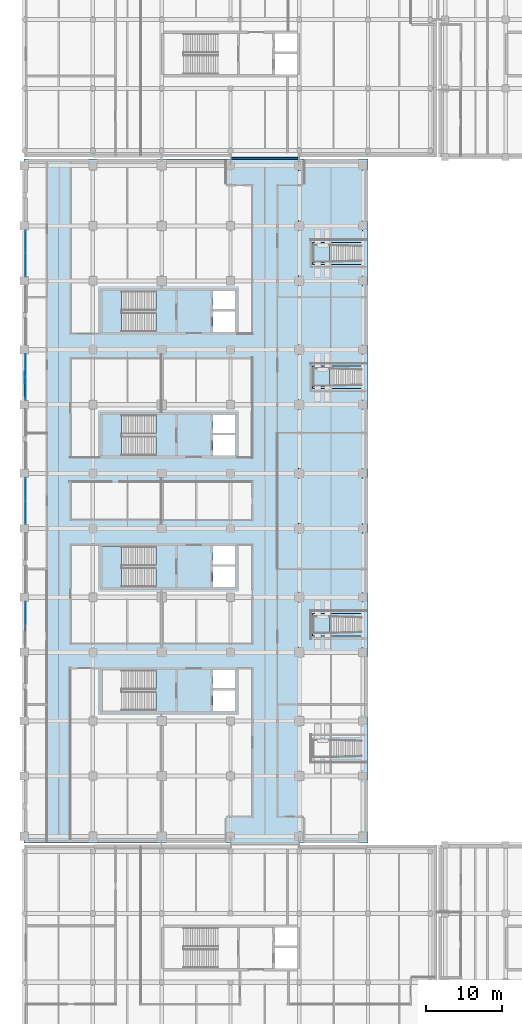
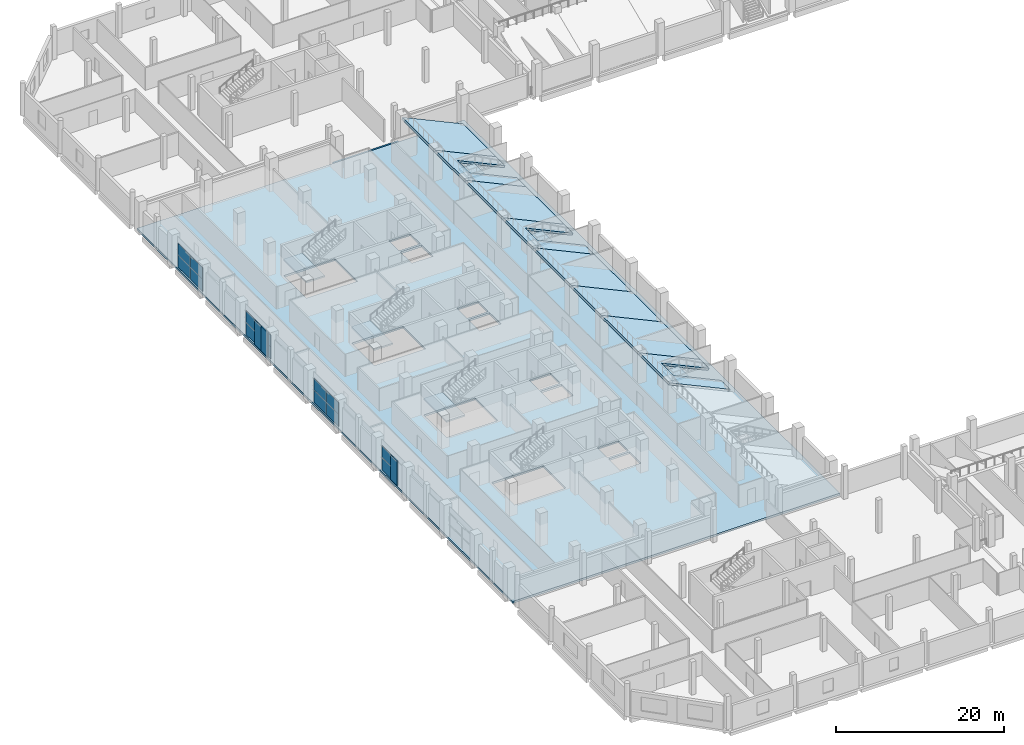
# One storey, part 45 of 100: 17 plates, 16 slabs, 7 elements without a shape of their own.
"""IFC4 building model written with IfcOpenShell, lengths in metres."""

from ifc_helpers import new_model, si_unit, direction, frame, origin, origin_2d, place, context, subcontext, project, spatial, polyline, rectangle, outline, extrude, material, layer, layer_set, type_object, element, aggregate, save


model = new_model("IFC4")

# Units and contexts
model_context = context("Model", 3, precision=1e-05, world=origin(), true_north=direction((0.0, 1.0)))
body_context = subcontext(model_context, "Body", "Model", "MODEL_VIEW")
ifc_project = project(units=[si_unit("LENGTHUNIT", "METRE"), si_unit("AREAUNIT", "SQUARE_METRE"), si_unit("VOLUMEUNIT", "CUBIC_METRE"), si_unit("PLANEANGLEUNIT", "RADIAN"), si_unit("MASSUNIT", "GRAM", prefix="KILO"), si_unit("THERMODYNAMICTEMPERATUREUNIT", "KELVIN"), si_unit("POWERUNIT", "WATT")], contexts=[model_context])

# Site, building, storey
site_placement = place(None, origin())
site = spatial("IfcSite", under=ifc_project, at=site_placement, CompositionType="ELEMENT")
building_placement = place(site_placement, origin())
building = spatial("IfcBuilding", under=site, at=building_placement, Name="Sindhuravela Promenade Stadium", CompositionType="ELEMENT")
storey_placement = place(building_placement, frame((0.0, 0.0, 4.800048828125)))
storey = spatial("IfcBuildingStorey", under=building, at=storey_placement, Name="L01", CompositionType="ELEMENT", Elevation=4.800048828125)

# Plates
ifc_material_1 = material(Name="Perforated terracotta celosia brick (15 MPa)", Category="masonry")
ifc_layer_1 = layer(ifc_material_1, 0.090087890625)
ifc_layer_set_1 = layer_set([ifc_layer_1], Name="Perforated terracotta celosia brick (15 MPa)")
plate_type_1 = type_object("IfcPlateType", Name="CL-SCR-01", PredefinedType="USERDEFINED", material=ifc_layer_set_1)
plate_1_placement = place(storey_placement, frame((0.1201171875, 97.10498046875, 0.0), z_axis=(0.0, 0.0, 1.0), x_axis=(0.0, 1.0, 0.0)))
element("IfcPlate", 1, at=plate_1_placement, inside=storey, type_object=plate_type_1, Name="Perforated brick celosia screen WEST L01-4", ObjectType="SCREEN PANEL", PredefinedType="USERDEFINED", context=body_context, shape_type="SweptSolid", body=[
    extrude(rectangle(XDim=1.56005859375, YDim=0.090087890625, at=origin_2d()), origin(), (0.0, 0.0, 1.0), 3.580078125),
])
ifc_layer_2 = layer(ifc_material_1, 0.139892578125)
ifc_layer_set_2 = layer_set([ifc_layer_2], Name="Perforated terracotta celosia brick (15 MPa)")
plate_type_2 = type_object("IfcPlateType", Name="CL-SCR-03", PredefinedType="USERDEFINED", material=ifc_layer_set_2)
plate_2_placement = place(storey_placement, frame((0.1201171875, 64.705078125, 0.0), z_axis=(0.0, 0.0, 1.0), x_axis=(0.0, 1.0, 0.0)))
element("IfcPlate", 2, at=plate_2_placement, inside=storey, type_object=plate_type_2, Name="Perforated brick celosia screen WEST L01-2", ObjectType="SCREEN PANEL", PredefinedType="USERDEFINED", context=body_context, shape_type="SweptSolid", body=[
    extrude(rectangle(XDim=1.56005859375, YDim=0.139892578125, at=origin_2d()), origin(), (0.0, 0.0, 1.0), 3.580078125),
])
ifc_layer_3 = layer(ifc_material_1, 0.1650390625)
ifc_layer_set_3 = layer_set([ifc_layer_3], Name="Perforated terracotta celosia brick (15 MPa)")
plate_type_3 = type_object("IfcPlateType", Name="CL-SCR-04", PredefinedType="USERDEFINED", material=ifc_layer_set_3)
plate_3_placement = place(storey_placement, frame((0.1201171875, 95.5048828125, 0.0), z_axis=(0.0, 0.0, 1.0), x_axis=(0.0, 1.0, 0.0)))
element("IfcPlate", 3, at=plate_3_placement, inside=storey, type_object=plate_type_3, Name="Perforated brick celosia screen WEST L01-3", ObjectType="SCREEN PANEL", PredefinedType="USERDEFINED", context=body_context, shape_type="SweptSolid", body=[
    extrude(rectangle(XDim=1.56005859375, YDim=0.1650390625, at=origin_2d()), origin(), (0.0, 0.0, 1.0), 3.580078125),
])

# Curtain wall, plates
ifc_material_2 = material(Name="Anodised architectural aluminium 6063-T6", Category="aluminium")
curtain_wall_type_1 = type_object("IfcCurtainWallType", Name="CW-MOD-3", PredefinedType="NOTDEFINED", material=ifc_material_2)
curtain_wall_1_placement = place(storey_placement, origin())
curtain_wall_1 = element("IfcCurtainWall", 4, at=curtain_wall_1_placement, inside=storey, type_object=curtain_wall_type_1, Name="Bronze curtain wall CW-WEST-L01-002", PredefinedType="NOTDEFINED")
ifc_material_3 = material(Name="Tempered laminated low-E glass", Category="glass")
ifc_layer_4 = layer(ifc_material_3, 0.028076171875)
ifc_layer_set_4 = layer_set([ifc_layer_4], Name="Tempered laminated low-E glass")
plate_type_4 = type_object("IfcPlateType", Name="CW-PNL-01", PredefinedType="CURTAIN_PANEL", material=ifc_layer_set_4)
plate_4_placement = place(storey_placement, frame((0.199951171875, 66.300048828125, 0.01513671875), z_axis=(0.0, 0.0, 1.0), x_axis=(0.0, 1.0, 0.0)))
plate_4 = element("IfcPlate", 5, at=plate_4_placement, type_object=plate_type_4, Name="Glazed curtain panel CW-WEST-L01-002-P2.1", PredefinedType="CURTAIN_PANEL", context=body_context, shape_type="SweptSolid", body=[
    extrude(rectangle(XDim=2.93994140625, YDim=0.028076171875, at=origin_2d()), origin(), (0.0, 0.0, 1.0), 1.760009765625),
])
plate_5_placement = place(storey_placement, frame((0.199951171875, 66.300048828125, 1.80517578125), z_axis=(0.0, 0.0, 1.0), x_axis=(0.0, 1.0, 0.0)))
plate_5 = element("IfcPlate", 6, at=plate_5_placement, type_object=plate_type_4, Name="Glazed curtain panel CW-WEST-L01-002-P2.2", PredefinedType="CURTAIN_PANEL", context=body_context, shape_type="SweptSolid", body=[
    extrude(rectangle(XDim=2.93994140625, YDim=0.028076171875, at=origin_2d()), origin(), (0.0, 0.0, 1.0), 1.679931640625),
])
aggregate(curtain_wall_1, [plate_4, plate_5])

curtain_wall_type_2 = type_object("IfcCurtainWallType", Name="CW-MOD-5", PredefinedType="NOTDEFINED", material=ifc_material_2)
curtain_wall_2_placement = place(storey_placement, origin())
curtain_wall_2 = element("IfcCurtainWall", 7, at=curtain_wall_2_placement, inside=storey, type_object=curtain_wall_type_2, Name="Bronze curtain wall CW-WEST-L01-004", PredefinedType="NOTDEFINED")
plate_6_placement = place(storey_placement, frame((0.199951171875, 95.699951171875, 0.01513671875), z_axis=(0.0, 0.0, 1.0), x_axis=(0.0, 1.0, 0.0)))
plate_6 = element("IfcPlate", 8, at=plate_6_placement, type_object=plate_type_4, Name="Glazed curtain panel CW-WEST-L01-004-P1.1", PredefinedType="CURTAIN_PANEL", context=body_context, shape_type="SweptSolid", body=[
    extrude(rectangle(XDim=2.93994140625, YDim=0.028076171875, at=origin_2d()), origin(), (0.0, 0.0, 1.0), 1.760009765625),
])
plate_7_placement = place(storey_placement, frame((0.199951171875, 95.699951171875, 1.80517578125), z_axis=(0.0, 0.0, 1.0), x_axis=(0.0, 1.0, 0.0)))
plate_7 = element("IfcPlate", 9, at=plate_7_placement, type_object=plate_type_4, Name="Glazed curtain panel CW-WEST-L01-004-P1.2", PredefinedType="CURTAIN_PANEL", context=body_context, shape_type="SweptSolid", body=[
    extrude(rectangle(XDim=2.93994140625, YDim=0.028076171875, at=origin_2d()), origin(), (0.0, 0.0, 1.0), 1.679931640625),
])
plate_8_placement = place(storey_placement, frame((0.199951171875, 98.699951171875, 0.01513671875), z_axis=(0.0, 0.0, 1.0), x_axis=(0.0, 1.0, 0.0)))
plate_8 = element("IfcPlate", 10, at=plate_8_placement, type_object=plate_type_4, Name="Glazed curtain panel CW-WEST-L01-004-P2.1", PredefinedType="CURTAIN_PANEL", context=body_context, shape_type="SweptSolid", body=[
    extrude(rectangle(XDim=2.93994140625, YDim=0.028076171875, at=origin_2d()), origin(), (0.0, 0.0, 1.0), 1.760009765625),
])
plate_9_placement = place(storey_placement, frame((0.199951171875, 98.699951171875, 1.80517578125), z_axis=(0.0, 0.0, 1.0), x_axis=(0.0, 1.0, 0.0)))
plate_9 = element("IfcPlate", 11, at=plate_9_placement, type_object=plate_type_4, Name="Glazed curtain panel CW-WEST-L01-004-P2.2", PredefinedType="CURTAIN_PANEL", context=body_context, shape_type="SweptSolid", body=[
    extrude(rectangle(XDim=2.93994140625, YDim=0.028076171875, at=origin_2d()), origin(), (0.0, 0.0, 1.0), 1.679931640625),
])
aggregate(curtain_wall_2, [plate_6, plate_7, plate_8, plate_9])

curtain_wall_type_3 = type_object("IfcCurtainWallType", Name="CW-MOD-4", PredefinedType="NOTDEFINED", material=ifc_material_2)
curtain_wall_3_placement = place(storey_placement, origin())
curtain_wall_3 = element("IfcCurtainWall", 12, at=curtain_wall_3_placement, inside=storey, type_object=curtain_wall_type_3, Name="Bronze curtain wall CW-WEST-L01-003", PredefinedType="NOTDEFINED")
ifc_layer_5 = layer(ifc_material_3, 0.0400390625)
ifc_layer_set_5 = layer_set([ifc_layer_5], Name="Tempered laminated low-E glass")
plate_type_5 = type_object("IfcPlateType", Name="CW-PNL-02", PredefinedType="CURTAIN_PANEL", material=ifc_layer_set_5)
plate_10_placement = place(storey_placement, frame((0.199951171875, 79.5, 0.01513671875), z_axis=(0.0, 0.0, 1.0), x_axis=(0.0, 1.0, 0.0)))
plate_10 = element("IfcPlate", 13, at=plate_10_placement, type_object=plate_type_5, Name="Glazed curtain panel CW-WEST-L01-003-P1.1", PredefinedType="CURTAIN_PANEL", context=body_context, shape_type="SweptSolid", body=[
    extrude(rectangle(XDim=2.93994140625, YDim=0.0400390625, at=origin_2d()), origin(), (0.0, 0.0, 1.0), 1.760009765625),
])
plate_11_placement = place(storey_placement, frame((0.199951171875, 79.5, 1.80517578125), z_axis=(0.0, 0.0, 1.0), x_axis=(0.0, 1.0, 0.0)))
plate_11 = element("IfcPlate", 14, at=plate_11_placement, type_object=plate_type_5, Name="Glazed curtain panel CW-WEST-L01-003-P1.2", PredefinedType="CURTAIN_PANEL", context=body_context, shape_type="SweptSolid", body=[
    extrude(rectangle(XDim=2.93994140625, YDim=0.0400390625, at=origin_2d()), origin(), (0.0, 0.0, 1.0), 1.679931640625),
])
plate_12_placement = place(storey_placement, frame((0.199951171875, 82.5, 0.01513671875), z_axis=(0.0, 0.0, 1.0), x_axis=(0.0, 1.0, 0.0)))
plate_12 = element("IfcPlate", 15, at=plate_12_placement, type_object=plate_type_5, Name="Glazed curtain panel CW-WEST-L01-003-P2.1", PredefinedType="CURTAIN_PANEL", context=body_context, shape_type="SweptSolid", body=[
    extrude(rectangle(XDim=2.93994140625, YDim=0.0400390625, at=origin_2d()), origin(), (0.0, 0.0, 1.0), 1.760009765625),
])
plate_13_placement = place(storey_placement, frame((0.199951171875, 82.5, 1.80517578125), z_axis=(0.0, 0.0, 1.0), x_axis=(0.0, 1.0, 0.0)))
plate_13 = element("IfcPlate", 16, at=plate_13_placement, type_object=plate_type_5, Name="Glazed curtain panel CW-WEST-L01-003-P2.2", PredefinedType="CURTAIN_PANEL", context=body_context, shape_type="SweptSolid", body=[
    extrude(rectangle(XDim=2.93994140625, YDim=0.0400390625, at=origin_2d()), origin(), (0.0, 0.0, 1.0), 1.679931640625),
])
aggregate(curtain_wall_3, [plate_10, plate_11, plate_12, plate_13])

curtain_wall_type_4 = type_object("IfcCurtainWallType", Name="CW-MOD-6", PredefinedType="NOTDEFINED", material=ifc_material_2)
curtain_wall_4_placement = place(storey_placement, origin())
curtain_wall_4 = element("IfcCurtainWall", 17, at=curtain_wall_4_placement, inside=storey, type_object=curtain_wall_type_4, Name="Bronze curtain wall CW-WEST-L01-005", PredefinedType="NOTDEFINED")
plate_14_placement = place(storey_placement, frame((0.199951171875, 111.89990234375, 0.01513671875), z_axis=(0.0, 0.0, 1.0), x_axis=(0.0, 1.0, 0.0)))
plate_14 = element("IfcPlate", 18, at=plate_14_placement, type_object=plate_type_5, Name="Glazed curtain panel CW-WEST-L01-005-P1.1", PredefinedType="CURTAIN_PANEL", context=body_context, shape_type="SweptSolid", body=[
    extrude(rectangle(XDim=2.93994140625, YDim=0.0400390625, at=origin_2d()), origin(), (0.0, 0.0, 1.0), 1.760009765625),
])
plate_15_placement = place(storey_placement, frame((0.199951171875, 111.89990234375, 1.80517578125), z_axis=(0.0, 0.0, 1.0), x_axis=(0.0, 1.0, 0.0)))
plate_15 = element("IfcPlate", 19, at=plate_15_placement, type_object=plate_type_5, Name="Glazed curtain panel CW-WEST-L01-005-P1.2", PredefinedType="CURTAIN_PANEL", context=body_context, shape_type="SweptSolid", body=[
    extrude(rectangle(XDim=2.93994140625, YDim=0.0400390625, at=origin_2d()), origin(), (0.0, 0.0, 1.0), 1.679931640625),
])
plate_16_placement = place(storey_placement, frame((0.199951171875, 114.89990234375, 0.01513671875), z_axis=(0.0, 0.0, 1.0), x_axis=(0.0, 1.0, 0.0)))
plate_16 = element("IfcPlate", 20, at=plate_16_placement, type_object=plate_type_5, Name="Glazed curtain panel CW-WEST-L01-005-P2.1", PredefinedType="CURTAIN_PANEL", context=body_context, shape_type="SweptSolid", body=[
    extrude(rectangle(XDim=2.93994140625, YDim=0.0400390625, at=origin_2d()), origin(), (0.0, 0.0, 1.0), 1.760009765625),
])
plate_17_placement = place(storey_placement, frame((0.199951171875, 114.89990234375, 1.80517578125), z_axis=(0.0, 0.0, 1.0), x_axis=(0.0, 1.0, 0.0)))
plate_17 = element("IfcPlate", 21, at=plate_17_placement, type_object=plate_type_5, Name="Glazed curtain panel CW-WEST-L01-005-P2.2", PredefinedType="CURTAIN_PANEL", context=body_context, shape_type="SweptSolid", body=[
    extrude(rectangle(XDim=2.93994140625, YDim=0.0400390625, at=origin_2d()), origin(), (0.0, 0.0, 1.0), 1.679931640625),
])
aggregate(curtain_wall_4, [plate_14, plate_15, plate_16, plate_17])

# Slabs
ifc_material_4 = material(Name="Concrete M50", Category="concrete")
ifc_layer_6 = layer(ifc_material_4, 0.360107421875)
ifc_layer_set_6 = layer_set([ifc_layer_6], Name="Concrete M50")
slab_type_1 = type_object("IfcSlabType", Name="SL-BRG-360", PredefinedType="FLOOR", material=ifc_layer_set_6)
slab_1_placement = place(storey_placement, frame((0.0, 0.0, -0.360107421875)))
element("IfcSlab", 22, at=slab_1_placement, inside=storey, type_object=slab_type_1, Name="Concourse link bridge L01 West-NW", PredefinedType="FLOOR", context=body_context, shape_type="SweptSolid", body=[
    extrude(outline(polyline([(27.0, 125.75), (36.0, 125.75), (36.0, 126.0), (27.0, 126.0), (27.0, 125.75)])), origin(), (0.0, 0.0, 1.0), 0.360107421875),
])
ifc_material_5 = material(Name="Concrete M40", Category="concrete")
ifc_layer_7 = layer(ifc_material_5, 0.25)
ifc_layer_set_7 = layer_set([ifc_layer_7], Name="Concrete M40")
slab_type_2 = type_object("IfcSlabType", Name="SL-FLR-250", PredefinedType="FLOOR", material=ifc_layer_set_7)
slab_2_placement = place(storey_placement, frame((0.0, 0.0, 2.0)))
element("IfcSlab", 23, at=slab_2_placement, inside=storey, type_object=slab_type_2, Name="Vomitory VS02 tier landing slab", PredefinedType="FLOOR", context=body_context, shape_type="SweptSolid", body=[
    extrude(outline(polyline([(39.95068359375, 65.969970703125), (37.800048828125, 65.969970703125), (37.800048828125, 63.6298828125), (39.95068359375, 63.6298828125), (39.95068359375, 65.969970703125)])), origin(), (0.0, 0.0, 1.0), 0.25),
])
slab_3_placement = place(storey_placement, frame((0.0, 0.0, 2.0)))
element("IfcSlab", 24, at=slab_3_placement, inside=storey, type_object=slab_type_2, Name="Vomitory VS03 tier landing slab", PredefinedType="FLOOR", context=body_context, shape_type="SweptSolid", body=[
    extrude(outline(polyline([(39.95068359375, 98.409912109375), (37.800048828125, 98.409912109375), (37.800048828125, 95.989990234375), (39.95068359375, 95.989990234375), (39.95068359375, 98.409912109375)])), origin(), (0.0, 0.0, 1.0), 0.25),
])
slab_4_placement = place(storey_placement, frame((0.0, 0.0, 2.0)))
element("IfcSlab", 25, at=slab_4_placement, inside=storey, type_object=slab_type_2, Name="Vomitory VS04 tier landing slab", PredefinedType="FLOOR", context=body_context, shape_type="SweptSolid", body=[
    extrude(outline(polyline([(39.95068359375, 114.570068359375), (37.800048828125, 114.570068359375), (37.800048828125, 112.22998046875), (39.95068359375, 112.22998046875), (39.95068359375, 114.570068359375)])), origin(), (0.0, 0.0, 1.0), 0.25),
])
ifc_layer_8 = layer(ifc_material_5, 0.300048828125)
ifc_layer_set_8 = layer_set([ifc_layer_8], Name="Concrete M40")
slab_type_3 = type_object("IfcSlabType", Name="SL-FLR-300", PredefinedType="FLOOR", material=ifc_layer_set_8)
slab_5_placement = place(storey_placement, frame((0.0, 0.0, -0.300048828125)))
element("IfcSlab", 26, at=slab_5_placement, inside=storey, type_object=slab_type_3, Name="Floor slab WEST L01", PredefinedType="FLOOR", context=body_context, shape_type="SweptSolid", body=[
    extrude(outline(polyline([(0.0, 36.25), (45.0, 36.25), (45.0, 125.75), (0.0, 125.75), (0.0, 36.25)]), holes=[polyline([(10.199951171875, 53.5), (17.249267578125, 53.5), (17.249267578125, 58.89990234375), (10.199951171875, 58.89990234375), (10.199951171875, 53.5)]), polyline([(24.699951171875, 56.5), (27.60009765625, 56.5), (27.60009765625, 58.89990234375), (24.699951171875, 58.89990234375), (24.699951171875, 56.5)]), polyline([(24.699951171875, 53.5), (27.60009765625, 53.5), (27.60009765625, 56.199951171875), (24.699951171875, 56.199951171875), (24.699951171875, 53.5)]), polyline([(10.199951171875, 69.699951171875), (17.249267578125, 69.699951171875), (17.249267578125, 75.10009765625), (10.199951171875, 75.10009765625), (10.199951171875, 69.699951171875)]), polyline([(24.699951171875, 72.699951171875), (27.60009765625, 72.699951171875), (27.60009765625, 75.10009765625), (24.699951171875, 75.10009765625), (24.699951171875, 72.699951171875)]), polyline([(24.699951171875, 69.699951171875), (27.60009765625, 69.699951171875), (27.60009765625, 72.39990234375), (24.699951171875, 72.39990234375), (24.699951171875, 69.699951171875)]), polyline([(10.199951171875, 86.89990234375), (17.249267578125, 86.89990234375), (17.249267578125, 92.300048828125), (10.199951171875, 92.300048828125), (10.199951171875, 86.89990234375)]), polyline([(24.699951171875, 89.89990234375), (27.60009765625, 89.89990234375), (27.60009765625, 92.300048828125), (24.699951171875, 92.300048828125), (24.699951171875, 89.89990234375)]), polyline([(24.699951171875, 86.89990234375), (27.60009765625, 86.89990234375), (27.60009765625, 89.60009765625), (24.699951171875, 89.60009765625), (24.699951171875, 86.89990234375)]), polyline([(10.199951171875, 103.10009765625), (17.249267578125, 103.10009765625), (17.249267578125, 108.5), (10.199951171875, 108.5), (10.199951171875, 103.10009765625)]), polyline([(24.699951171875, 106.10009765625), (27.60009765625, 106.10009765625), (27.60009765625, 108.5), (24.699951171875, 108.5), (24.699951171875, 106.10009765625)]), polyline([(24.699951171875, 103.10009765625), (27.60009765625, 103.10009765625), (27.60009765625, 105.800048828125), (24.699951171875, 105.800048828125), (24.699951171875, 103.10009765625)])]), origin(), (0.0, 0.0, 1.0), 0.300048828125),
])

# Stair, slab
stair_type = type_object("IfcStairType", Name="ST-CORE-DOGLEG", PredefinedType="HALF_TURN_STAIR", material=ifc_material_5)
stair_1_placement = place(storey_placement, origin())
stair_1 = element("IfcStair", 27, at=stair_1_placement, inside=storey, type_object=stair_type, Name="Protected escape stair ST02 (L01)", PredefinedType="HALF_TURN_STAIR")
ifc_layer_9 = layer(ifc_material_5, 0.219970703125)
ifc_layer_set_9 = layer_set([ifc_layer_9], Name="Concrete M40")
slab_type_4 = type_object("IfcSlabType", Name="SL-LND-220", PredefinedType="LANDING", material=ifc_layer_set_9)
slab_6_placement = place(storey_placement, frame((0.0, 0.0, 2.179931640625)))
slab_6 = element("IfcSlab", 28, at=slab_6_placement, type_object=slab_type_4, Name="Stair ST02 half-landing (L01)", PredefinedType="LANDING", context=body_context, shape_type="SweptSolid", body=[
    extrude(outline(polyline([(10.179931640625, 69.679931640625), (12.751953125, 69.679931640625), (12.751953125, 75.1201171875), (10.179931640625, 75.1201171875), (10.179931640625, 69.679931640625)])), origin(), (0.0, 0.0, 1.0), 0.219970703125),
])
aggregate(stair_1, [slab_6])

stair_2_placement = place(storey_placement, origin())
stair_2 = element("IfcStair", 29, at=stair_2_placement, inside=storey, type_object=stair_type, Name="Protected escape stair ST03 (L01)", PredefinedType="HALF_TURN_STAIR")
slab_7_placement = place(storey_placement, frame((0.0, 0.0, 2.179931640625)))
slab_7 = element("IfcSlab", 30, at=slab_7_placement, type_object=slab_type_4, Name="Stair ST03 half-landing (L01)", PredefinedType="LANDING", context=body_context, shape_type="SweptSolid", body=[
    extrude(outline(polyline([(10.179931640625, 86.8798828125), (12.751953125, 86.8798828125), (12.751953125, 92.320068359375), (10.179931640625, 92.320068359375), (10.179931640625, 86.8798828125)])), origin(), (0.0, 0.0, 1.0), 0.219970703125),
])
aggregate(stair_2, [slab_7])

stair_3_placement = place(storey_placement, origin())
stair_3 = element("IfcStair", 31, at=stair_3_placement, inside=storey, type_object=stair_type, Name="Protected escape stair ST04 (L01)", PredefinedType="HALF_TURN_STAIR")
slab_8_placement = place(storey_placement, frame((0.0, 0.0, 2.179931640625)))
slab_8 = element("IfcSlab", 32, at=slab_8_placement, type_object=slab_type_4, Name="Stair ST04 half-landing (L01)", PredefinedType="LANDING", context=body_context, shape_type="SweptSolid", body=[
    extrude(outline(polyline([(10.179931640625, 103.080078125), (12.751953125, 103.080078125), (12.751953125, 108.52001953125), (10.179931640625, 108.52001953125), (10.179931640625, 103.080078125)])), origin(), (0.0, 0.0, 1.0), 0.219970703125),
])
aggregate(stair_3, [slab_8])

# Slabs
ifc_material_6 = material(Name="Precast concrete M50", Category="concrete")
ifc_layer_10 = layer(ifc_material_6, 0.2900390625)
ifc_layer_set_10 = layer_set([ifc_layer_10], Name="Precast concrete M50")
slab_type_5 = type_object("IfcSlabType", Name="SL-TR1-290", PredefinedType="USERDEFINED", material=ifc_layer_set_10)
slab_9_placement = place(storey_placement, frame((44.300048828125, 61.199951171875, 0.199951171875), z_axis=(0.42079715806659734, 0.0, 0.907154756236815), x_axis=(0.0, 1.0, 0.0)))
element("IfcSlab", 33, at=slab_9_placement, inside=storey, type_object=slab_type_5, Name="Stand lower tier West rear bay 4", ObjectType="SEATING TIER", PredefinedType="USERDEFINED", context=body_context, shape_type="SweptSolid", body=[
    extrude(outline(polyline([(0.0, 0.0), (2.150146484375, 0.0), (2.150146484375, 7.2204286101602335), (5.050048828125, 7.2204286101602335), (5.050048828125, 0.0), (7.199951171875, 0.0), (7.199951171875, 9.149538923460263), (0.0, 9.149538923460263), (0.0, 0.0)])), origin(), (0.0, 0.0, -1.0), 0.2900390625),
])
slab_10_placement = place(storey_placement, frame((44.300048828125, 68.39990234375, 0.199951171875), z_axis=(0.42079690446234874, 0.0, 0.9071548738748555), x_axis=(0.0, 1.0, 0.0)))
element("IfcSlab", 34, at=slab_10_placement, inside=storey, type_object=slab_type_5, Name="Stand lower tier West rear bay 5", ObjectType="SEATING TIER", PredefinedType="USERDEFINED", context=body_context, shape_type="SweptSolid", body=[
    extrude(outline(polyline([(0.0, 0.0), (9.0, 0.0), (9.0, 9.149538923460621), (0.0, 9.149538923460621), (0.0, 0.0)])), origin(), (0.0, 0.0, -1.0), 0.2900390625),
])
slab_11_placement = place(storey_placement, frame((44.300048828125, 77.39990234375, 0.199951171875), z_axis=(0.42079690446234874, 0.0, 0.9071548738748554), x_axis=(0.0, 1.0, 0.0)))
element("IfcSlab", 35, at=slab_11_placement, inside=storey, type_object=slab_type_5, Name="Stand lower tier West rear bay 6", ObjectType="SEATING TIER", PredefinedType="USERDEFINED", context=body_context, shape_type="SweptSolid", body=[
    extrude(outline(polyline([(0.0, 0.0), (7.2001953125, 0.0), (7.2001953125, 9.14953892346062), (0.0, 9.14953892346062), (0.0, 0.0)])), origin(), (0.0, 0.0, -1.0), 0.2900390625),
])
slab_12_placement = place(storey_placement, frame((44.300048828125, 84.60009765625, 0.199951171875), z_axis=(0.42079690446234874, 0.0, 0.9071548738748555), x_axis=(0.0, 1.0, 0.0)))
element("IfcSlab", 36, at=slab_12_placement, inside=storey, type_object=slab_type_5, Name="Stand lower tier West rear bay 7", ObjectType="SEATING TIER", PredefinedType="USERDEFINED", context=body_context, shape_type="SweptSolid", body=[
    extrude(outline(polyline([(0.0, 0.0), (9.0, 0.0), (9.0, 9.149538923460621), (0.0, 9.149538923460621), (0.0, 0.0)])), origin(), (0.0, 0.0, -1.0), 0.2900390625),
])
slab_13_placement = place(storey_placement, frame((44.300048828125, 93.60009765625, 0.199951171875), z_axis=(0.42079715806659734, 0.0, 0.907154756236815), x_axis=(0.0, 1.0, 0.0)))
element("IfcSlab", 37, at=slab_13_placement, inside=storey, type_object=slab_type_5, Name="Stand lower tier West rear bay 8", ObjectType="SEATING TIER", PredefinedType="USERDEFINED", context=body_context, shape_type="SweptSolid", body=[
    extrude(outline(polyline([(0.0, 0.0), (2.14990234375, 0.0), (2.14990234375, 7.2204286101602335), (5.0498046875, 7.2204286101602335), (5.0498046875, 0.0), (7.199951171875, 0.0), (7.199951171875, 9.149538923460263), (0.0, 9.149538923460263), (0.0, 0.0)])), origin(), (0.0, 0.0, -1.0), 0.2900390625),
])
slab_14_placement = place(storey_placement, frame((44.300048828125, 100.800048828125, 0.199951171875), z_axis=(0.42079690446234874, 0.0, 0.9071548738748555), x_axis=(0.0, 1.0, 0.0)))
element("IfcSlab", 38, at=slab_14_placement, inside=storey, type_object=slab_type_5, Name="Stand lower tier West rear bay 9", ObjectType="SEATING TIER", PredefinedType="USERDEFINED", context=body_context, shape_type="SweptSolid", body=[
    extrude(outline(polyline([(0.0, 0.0), (9.0, 0.0), (9.0, 9.149538923460621), (0.0, 9.149538923460621), (0.0, 0.0)])), origin(), (0.0, 0.0, -1.0), 0.2900390625),
])
slab_15_placement = place(storey_placement, frame((44.300048828125, 109.800048828125, 0.199951171875), z_axis=(0.42079715809789764, 0.0, 0.9071547562222959), x_axis=(0.0, 1.0, 0.0)))
element("IfcSlab", 39, at=slab_15_placement, inside=storey, type_object=slab_type_5, Name="Stand lower tier West rear bay 10", ObjectType="SEATING TIER", PredefinedType="USERDEFINED", context=body_context, shape_type="SweptSolid", body=[
    extrude(outline(polyline([(0.0, 0.0), (2.14990234375, 0.0), (2.14990234375, 7.220428610160233), (5.050048828125, 7.220428610160233), (5.050048828125, 0.0), (7.199951171875, 0.0), (7.199951171875, 9.149538923460264), (0.0, 9.149538923460264), (0.0, 0.0)])), origin(), (0.0, 0.0, -1.0), 0.2900390625),
])
slab_16_placement = place(storey_placement, frame((44.300048828125, 117.0, 0.199951171875), z_axis=(0.42079690446234874, 0.0, 0.9071548738748555), x_axis=(0.0, 1.0, 0.0)))
element("IfcSlab", 40, at=slab_16_placement, inside=storey, type_object=slab_type_5, Name="Stand lower tier West rear bay 11", ObjectType="SEATING TIER", PredefinedType="USERDEFINED", context=body_context, shape_type="SweptSolid", body=[
    extrude(outline(polyline([(0.0, 0.0), (7.89990234375, 0.0), (7.89990234375, 9.149538923460621), (0.0, 9.149538923460621), (0.0, 0.0)])), origin(), (0.0, 0.0, -1.0), 0.2900390625),
])

save(model, "model.ifc")
